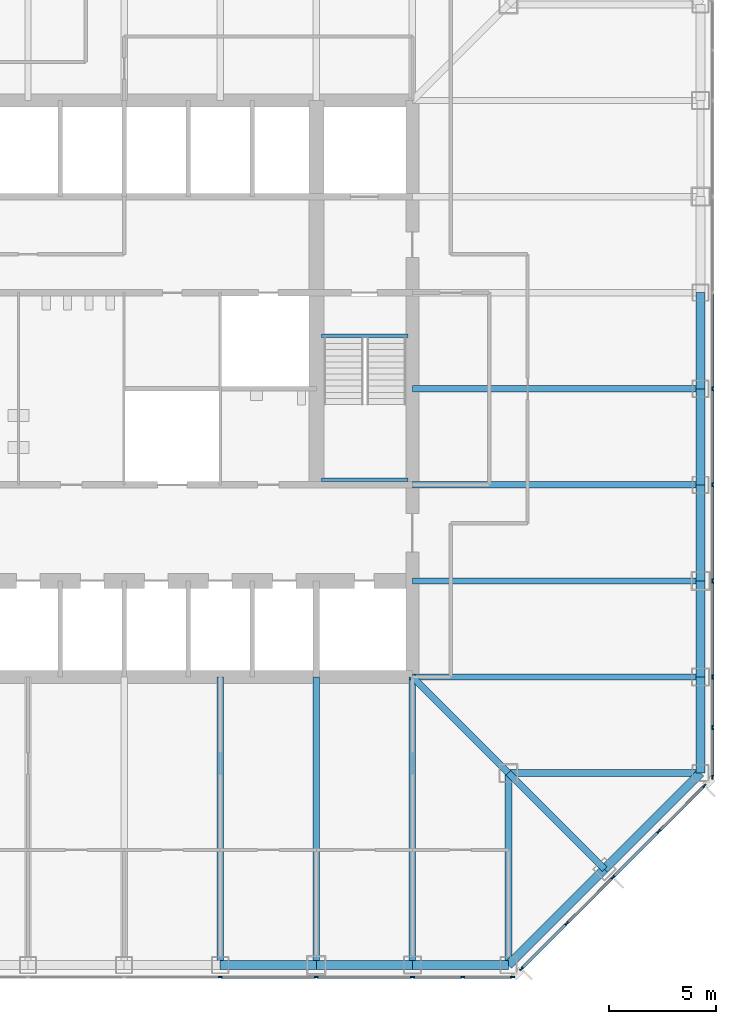
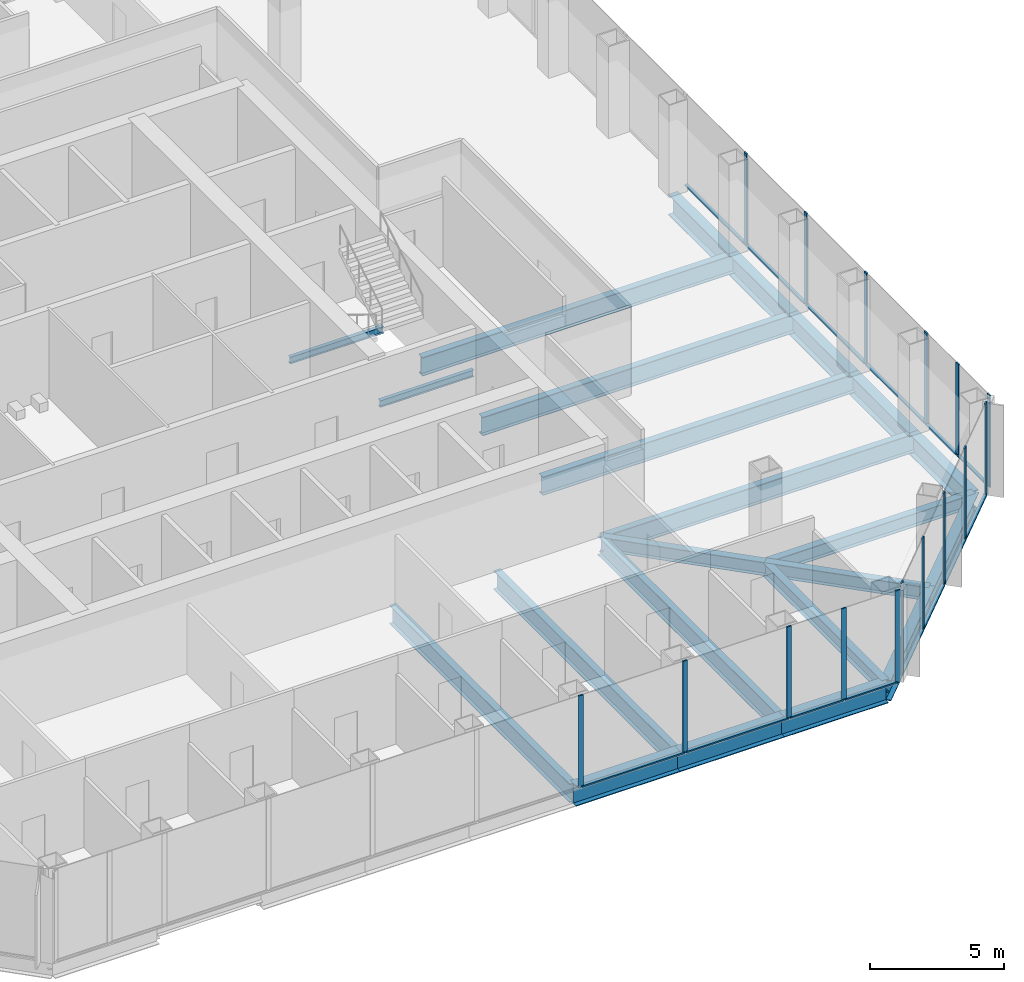
# One storey, part 4 of 13: 30 members, 23 beams, 3 elements without a shape of their own.
"""IFC4 building model written with IfcOpenShell, lengths in metres."""

from ifc_helpers import new_model, si_unit, direction, frame, origin, origin_2d, place, context, subcontext, project, spatial, rectangle, i_section, extrude, material, material_profile, profile_set, type_object, element, aggregate, save


model = new_model("IFC4")

# Units and contexts
model_context = context("Model", 3, precision=1e-05, world=origin(), true_north=direction((0.0, 1.0)))
body_context = subcontext(model_context, "Body", "Model", "MODEL_VIEW")
ifc_project = project(units=[si_unit("LENGTHUNIT", "METRE"), si_unit("AREAUNIT", "SQUARE_METRE"), si_unit("VOLUMEUNIT", "CUBIC_METRE"), si_unit("PLANEANGLEUNIT", "RADIAN"), si_unit("MASSUNIT", "GRAM", prefix="KILO")], contexts=[model_context])

# Site, building, storey
site_placement = place(None, origin())
site = spatial("IfcSite", under=ifc_project, at=site_placement, CompositionType="ELEMENT")
building_placement = place(site_placement, origin())
building = spatial("IfcBuilding", under=site, at=building_placement, Name="Corais Broadcast Tower", CompositionType="ELEMENT")
storey_placement = place(building_placement, frame((0.0, 0.0, 83.60009765625)))
storey = spatial("IfcBuildingStorey", under=building, at=storey_placement, Name="L18", CompositionType="ELEMENT", Elevation=83.60009765625)

# Beams
ifc_material_1 = material(Name="Steel ASTM A572 Grade 50", Category="steel")
ifc_material_profile_1 = material_profile(ifc_material_1, i_section(OverallWidth=0.323974609375, OverallDepth=0.611083984375, WebThickness=0.0126953125, FlangeThickness=0.01904296875, at=origin_2d()), Name="W610x155")
ifc_profile_set_1 = profile_set([ifc_material_profile_1], Name="Steel ASTM A572 Grade 50")
beam_type_1 = type_object("IfcBeamType", Name="Chamfer tie W610x155", PredefinedType="BEAM", material=ifc_profile_set_1)
beam_1_placement = place(storey_placement, frame((49.5, 4.5, -0.465576171875), z_axis=(-0.707106781187, 0.707106781187, 0.0), x_axis=(-0.707106781187, -0.707106781187, 0.0)))
element("IfcBeam", 1, at=beam_1_placement, inside=storey, type_object=beam_type_1, Name="B5 B/14 to C/13", PredefinedType="BEAM", context=body_context, shape_type="SweptSolid", body=[
    extrude(i_section(OverallWidth=0.323974609375, OverallDepth=0.611083984375, WebThickness=0.0126953125, FlangeThickness=0.01904296875, at=origin_2d()), origin(), (0.0, 0.0, 1.0), 6.364013671875),
])
ifc_material_2 = material(Name="Steel ASTM A572 Grade 50", Category="steel")
ifc_material_profile_2 = material_profile(ifc_material_2, i_section(OverallWidth=0.323974609375, OverallDepth=0.611083984375, WebThickness=0.0126953125, FlangeThickness=0.01904296875, at=origin_2d()), Name="W610x155")
ifc_profile_set_2 = profile_set([ifc_material_profile_2], Name="Steel ASTM A572 Grade 50")
beam_type_2 = type_object("IfcBeamType", Name="Corner diagonal W610x155", PredefinedType="BEAM", material=ifc_profile_set_2)
beam_2_placement = place(storey_placement, frame((45.0, 9.0, -0.465576171875), z_axis=(-0.707106781187, 0.707106781187, 0.0), x_axis=(-0.707106781187, -0.707106781187, 0.0)))
element("IfcBeam", 2, at=beam_2_placement, inside=storey, type_object=beam_type_2, Name="B6 C/13 to D/12", PredefinedType="BEAM", context=body_context, shape_type="SweptSolid", body=[
    extrude(i_section(OverallWidth=0.323974609375, OverallDepth=0.611083984375, WebThickness=0.0126953125, FlangeThickness=0.01904296875, at=origin_2d()), origin(), (0.0, 0.0, 1.0), 6.364013671875),
])
ifc_material_3 = material(Name="Steel ASTM A572 Grade 50", Category="steel")
ifc_material_profile_3 = material_profile(ifc_material_3, i_section(OverallWidth=0.323974609375, OverallDepth=0.611083984375, WebThickness=0.0126953125, FlangeThickness=0.01904296875, at=origin_2d()), Name="W610x155")
ifc_profile_set_3 = profile_set([ifc_material_profile_3], Name="Steel ASTM A572 Grade 50")
beam_type_3 = type_object("IfcBeamType", Name="Corner girder W610x155", PredefinedType="BEAM", material=ifc_profile_set_3)
for number, where, z_axis, x_axis, name in (
    (3, (45.0, 0.0, -0.465576171875), (0.0, 1.0, 0.0), (-1.0, 0.0, 0.0), "B4 A/13 to C/13"),
    (4, (54.0, 9.0, -0.465576171875), (-1.0, 0.0, 0.0), (0.0, -1.0, 0.0), "B4 C/15 to C/13"),
):
    element("IfcBeam", number, at=place(storey_placement, frame(where, z_axis=z_axis, x_axis=x_axis)), inside=storey, type_object=beam_type_3, Name=name, PredefinedType="BEAM", context=body_context, shape_type="SweptSolid", body=[
        extrude(i_section(OverallWidth=0.323974609375, OverallDepth=0.611083984375, WebThickness=0.0126953125, FlangeThickness=0.01904296875, at=origin_2d()), origin(), (0.0, 0.0, 1.0), 9.0),
    ])
ifc_material_4 = material(Name="Steel ASTM A572 Grade 50", Category="steel")
ifc_material_profile_4 = material_profile(ifc_material_4, i_section(OverallWidth=0.2939453125, OverallDepth=0.85107421875, WebThickness=0.01611328125, FlangeThickness=0.02685546875, at=origin_2d()), Name="W840x226")
ifc_profile_set_4 = profile_set([ifc_material_profile_4], Name="Steel ASTM A572 Grade 50")
beam_type_4 = type_object("IfcBeamType", Name="Floor beam W840x226", PredefinedType="BEAM", material=ifc_profile_set_4)
for number, where, z_axis, x_axis, name in (
    (5, (31.5, 0.0, -0.585693359375), (0.0, 1.0, 0.0), (-1.0, 0.0, 0.0), "B1 A/10 to D/10"),
    (6, (36.0, 0.0, -0.585693359375), (0.0, 1.0, 0.0), (-1.0, 0.0, 0.0), "B1 A/11 to D/11"),
    (7, (40.5, 0.0, -0.585693359375), (0.0, 1.0, 0.0), (-1.0, 0.0, 0.0), "B1 A/12 to D/12"),
    (8, (54.0, 13.5, -0.585693359375), (-1.0, 0.0, 0.0), (0.0, -1.0, 0.0), "B1 D/15 to D/12"),
    (9, (54.0, 18.0, -0.585693359375), (-1.0, 0.0, 0.0), (0.0, -1.0, 0.0), "B1 E/15 to E/12"),
    (10, (54.0, 22.5, -0.585693359375), (-1.0, 0.0, 0.0), (0.0, -1.0, 0.0), "B1 F/15 to F/12"),
    (11, (54.0, 27.0, -0.585693359375), (-1.0, 0.0, 0.0), (0.0, -1.0, 0.0), "B1 G/15 to G/12"),
):
    element("IfcBeam", number, at=place(storey_placement, frame(where, z_axis=z_axis, x_axis=x_axis)), inside=storey, type_object=beam_type_4, Name=name, PredefinedType="BEAM", context=body_context, shape_type="SweptSolid", body=[
        extrude(i_section(OverallWidth=0.2939453125, OverallDepth=0.85107421875, WebThickness=0.01611328125, FlangeThickness=0.02685546875, at=origin_2d()), origin(), (0.0, 0.0, 1.0), 13.5),
    ])
ifc_material_5 = material(Name="Steel ASTM A572 Grade 50", Category="steel")
ifc_material_profile_5 = material_profile(ifc_material_5, i_section(OverallWidth=0.1650390625, OverallDepth=0.31005859375, WebThickness=0.005859375, FlangeThickness=0.009765625, at=origin_2d()), Name="W310x38.7")
ifc_profile_set_5 = profile_set([ifc_material_profile_5], Name="Steel ASTM A572 Grade 50")
beam_type_5 = type_object("IfcBeamType", Name="Landing trimmer W310x38.7", PredefinedType="BEAM", material=ifc_profile_set_5)
for number, where, z_axis, x_axis, name in (
    (12, (36.25, 29.47509765625, -0.35498046875), (1.0, 0.0, 0.0), (0.0, 1.0, 0.0), "LT1 stair B landing trimmer L18"),
    (13, (36.25, 22.739990234375, 1.744873046875), (1.0, 0.0, 0.0), (0.0, 1.0, 0.0), "LT1 stair B half landing trimmer L18"),
):
    element("IfcBeam", number, at=place(storey_placement, frame(where, z_axis=z_axis, x_axis=x_axis)), inside=storey, type_object=beam_type_5, Name=name, PredefinedType="BEAM", context=body_context, shape_type="SweptSolid", body=[
        extrude(i_section(OverallWidth=0.1650390625, OverallDepth=0.31005859375, WebThickness=0.005859375, FlangeThickness=0.009765625, at=origin_2d()), origin(), (0.0, 0.0, 1.0), 4.050048828125),
    ])

# Curtain wall, members
ifc_material_6 = material(Name="Aluminium and glass", Category="aluminium")
curtain_wall_type = type_object("IfcCurtainWallType", Name="Unitised fritted curtain wall CW1", PredefinedType="NOTDEFINED", material=ifc_material_6)
curtain_wall_1_placement = place(storey_placement, origin())
curtain_wall_1 = element("IfcCurtainWall", 14, at=curtain_wall_1_placement, inside=storey, type_object=curtain_wall_type, Name="CW1 curtain wall L18 6", PredefinedType="NOTDEFINED")
ifc_material_7 = material(Name="Aluminium 6063-T6", Category="aluminium")
ifc_material_profile_6 = material_profile(ifc_material_7, rectangle(XDim=0.06494140625, YDim=0.199951171875, at=origin_2d()), Name="Mullion CW1 65x200")
ifc_profile_set_6 = profile_set([ifc_material_profile_6], Name="Aluminium 6063-T6")
member_type_1 = type_object("IfcMemberType", Name="Mullion CW1 65x200", PredefinedType="MULLION", material=ifc_profile_set_6)
member_1_placement = place(storey_placement, frame((54.550048828125, 27.0, 0.0), z_axis=(0.0, 0.0, 1.0), x_axis=(1.0, 0.0, 0.0)))
member_1 = element("IfcMember", 15, at=member_1_placement, type_object=member_type_1, Name="CW1 mullion 6", PredefinedType="MULLION", context=body_context, shape_type="SweptSolid", body=[
    extrude(rectangle(XDim=0.06494140625, YDim=0.199951171875, at=origin_2d()), origin(), (0.0, 0.0, 1.0), 4.199951171875),
])
member_2_placement = place(storey_placement, frame((54.550048828125, 22.5, 0.0), z_axis=(0.0, 0.0, 1.0), x_axis=(1.0, 0.0, 0.0)))
member_2 = element("IfcMember", 16, at=member_2_placement, type_object=member_type_1, Name="CW1 mullion 7", PredefinedType="MULLION", context=body_context, shape_type="SweptSolid", body=[
    extrude(rectangle(XDim=0.06494140625, YDim=0.199951171875, at=origin_2d()), origin(), (0.0, 0.0, 1.0), 4.199951171875),
])
member_3_placement = place(storey_placement, frame((54.550048828125, 18.0, 0.0), z_axis=(0.0, 0.0, 1.0), x_axis=(1.0, 0.0, 0.0)))
member_3 = element("IfcMember", 17, at=member_3_placement, type_object=member_type_1, Name="CW1 mullion 8", PredefinedType="MULLION", context=body_context, shape_type="SweptSolid", body=[
    extrude(rectangle(XDim=0.06494140625, YDim=0.199951171875, at=origin_2d()), origin(), (0.0, 0.0, 1.0), 4.199951171875),
])
member_4_placement = place(storey_placement, frame((54.550048828125, 13.5, 0.0), z_axis=(0.0, 0.0, 1.0), x_axis=(1.0, 0.0, 0.0)))
member_4 = element("IfcMember", 18, at=member_4_placement, type_object=member_type_1, Name="CW1 mullion 9", PredefinedType="MULLION", context=body_context, shape_type="SweptSolid", body=[
    extrude(rectangle(XDim=0.06494140625, YDim=0.199951171875, at=origin_2d()), origin(), (0.0, 0.0, 1.0), 4.199951171875),
])
member_5_placement = place(storey_placement, frame((54.550048828125, 11.135986328125, 0.0), z_axis=(0.0, 0.0, 1.0), x_axis=(1.0, 0.0, 0.0)))
member_5 = element("IfcMember", 19, at=member_5_placement, type_object=member_type_1, Name="CW1 mullion 10", PredefinedType="MULLION", context=body_context, shape_type="SweptSolid", body=[
    extrude(rectangle(XDim=0.06494140625, YDim=0.199951171875, at=origin_2d()), origin(), (0.0, 0.0, 1.0), 4.199951171875),
])
member_6_placement = place(storey_placement, frame((54.550048828125, 8.8046875, 0.0), z_axis=(0.0, 0.0, 1.0), x_axis=(1.0, 0.0, 0.0)))
member_6 = element("IfcMember", 20, at=member_6_placement, type_object=member_type_1, Name="CW1 mullion 11", PredefinedType="MULLION", context=body_context, shape_type="SweptSolid", body=[
    extrude(rectangle(XDim=0.06494140625, YDim=0.199951171875, at=origin_2d()), origin(), (0.0, 0.0, 1.0), 4.199951171875),
])

curtain_wall_2_placement = place(storey_placement, origin())
curtain_wall_2 = element("IfcCurtainWall", 21, at=curtain_wall_2_placement, inside=storey, type_object=curtain_wall_type, Name="CW1 curtain wall L18 7", PredefinedType="NOTDEFINED")
member_7_placement = place(storey_placement, frame((54.17333984375, 8.3955078125, 0.0), z_axis=(0.0, 0.0, 1.0), x_axis=(0.707106781187, -0.707106781187, 0.0)))
member_7 = element("IfcMember", 22, at=member_7_placement, type_object=member_type_1, Name="CW1 mullion 1", PredefinedType="MULLION", context=body_context, shape_type="SweptSolid", body=[
    extrude(rectangle(XDim=0.06494140625, YDim=0.199951171875, at=origin_2d()), origin(), (0.0, 0.0, 1.0), 4.199951171875),
])
member_8_placement = place(storey_placement, frame((52.042724609375, 6.264892578125, 0.0), z_axis=(0.0, 0.0, 1.0), x_axis=(0.707106781187, -0.707106781187, 0.0)))
member_8 = element("IfcMember", 23, at=member_8_placement, type_object=member_type_1, Name="CW1 mullion 2", PredefinedType="MULLION", context=body_context, shape_type="SweptSolid", body=[
    extrude(rectangle(XDim=0.06494140625, YDim=0.199951171875, at=origin_2d()), origin(), (0.0, 0.0, 1.0), 4.199951171875),
])
member_9_placement = place(storey_placement, frame((49.888916015625, 4.111083984375, 0.0), z_axis=(0.0, 0.0, 1.0), x_axis=(0.707106781187, -0.707106781187, 0.0)))
member_9 = element("IfcMember", 24, at=member_9_placement, type_object=member_type_1, Name="CW1 mullion 3", PredefinedType="MULLION", context=body_context, shape_type="SweptSolid", body=[
    extrude(rectangle(XDim=0.06494140625, YDim=0.199951171875, at=origin_2d()), origin(), (0.0, 0.0, 1.0), 4.199951171875),
])
member_10_placement = place(storey_placement, frame((47.735107421875, 1.957275390625, 0.0), z_axis=(0.0, 0.0, 1.0), x_axis=(0.707106781187, -0.707106781187, 0.0)))
member_10 = element("IfcMember", 25, at=member_10_placement, type_object=member_type_1, Name="CW1 mullion 4", PredefinedType="MULLION", context=body_context, shape_type="SweptSolid", body=[
    extrude(rectangle(XDim=0.06494140625, YDim=0.199951171875, at=origin_2d()), origin(), (0.0, 0.0, 1.0), 4.199951171875),
])
member_11_placement = place(storey_placement, frame((45.6044921875, -0.17333984375, 0.0), z_axis=(0.0, 0.0, 1.0), x_axis=(0.707106781187, -0.707106781187, 0.0)))
member_11 = element("IfcMember", 26, at=member_11_placement, type_object=member_type_1, Name="CW1 mullion 5", PredefinedType="MULLION", context=body_context, shape_type="SweptSolid", body=[
    extrude(rectangle(XDim=0.06494140625, YDim=0.199951171875, at=origin_2d()), origin(), (0.0, 0.0, 1.0), 4.199951171875),
])

curtain_wall_3_placement = place(storey_placement, origin())
curtain_wall_3 = element("IfcCurtainWall", 27, at=curtain_wall_3_placement, inside=storey, type_object=curtain_wall_type, Name="CW1 curtain wall L18 8", PredefinedType="NOTDEFINED")
member_12_placement = place(storey_placement, frame((45.1953125, -0.550048828125, 0.0), z_axis=(0.0, 0.0, 1.0), x_axis=(0.0, -1.0, 0.0)))
member_12 = element("IfcMember", 28, at=member_12_placement, type_object=member_type_1, Name="CW1 mullion 1", PredefinedType="MULLION", context=body_context, shape_type="SweptSolid", body=[
    extrude(rectangle(XDim=0.06494140625, YDim=0.199951171875, at=origin_2d()), origin(), (0.0, 0.0, 1.0), 4.199951171875),
])
member_13_placement = place(storey_placement, frame((42.864013671875, -0.550048828125, 0.0), z_axis=(0.0, 0.0, 1.0), x_axis=(0.0, -1.0, 0.0)))
member_13 = element("IfcMember", 29, at=member_13_placement, type_object=member_type_1, Name="CW1 mullion 2", PredefinedType="MULLION", context=body_context, shape_type="SweptSolid", body=[
    extrude(rectangle(XDim=0.06494140625, YDim=0.199951171875, at=origin_2d()), origin(), (0.0, 0.0, 1.0), 4.199951171875),
])
member_14_placement = place(storey_placement, frame((40.5, -0.550048828125, 0.0), z_axis=(0.0, 0.0, 1.0), x_axis=(0.0, -1.0, 0.0)))
member_14 = element("IfcMember", 30, at=member_14_placement, type_object=member_type_1, Name="CW1 mullion 3", PredefinedType="MULLION", context=body_context, shape_type="SweptSolid", body=[
    extrude(rectangle(XDim=0.06494140625, YDim=0.199951171875, at=origin_2d()), origin(), (0.0, 0.0, 1.0), 4.199951171875),
])
member_15_placement = place(storey_placement, frame((36.0, -0.550048828125, 0.0), z_axis=(0.0, 0.0, 1.0), x_axis=(0.0, -1.0, 0.0)))
member_15 = element("IfcMember", 31, at=member_15_placement, type_object=member_type_1, Name="CW1 mullion 4", PredefinedType="MULLION", context=body_context, shape_type="SweptSolid", body=[
    extrude(rectangle(XDim=0.06494140625, YDim=0.199951171875, at=origin_2d()), origin(), (0.0, 0.0, 1.0), 4.199951171875),
])
member_16_placement = place(storey_placement, frame((31.5, -0.550048828125, 0.0), z_axis=(0.0, 0.0, 1.0), x_axis=(0.0, -1.0, 0.0)))
member_16 = element("IfcMember", 32, at=member_16_placement, type_object=member_type_1, Name="CW1 mullion 5", PredefinedType="MULLION", context=body_context, shape_type="SweptSolid", body=[
    extrude(rectangle(XDim=0.06494140625, YDim=0.199951171875, at=origin_2d()), origin(), (0.0, 0.0, 1.0), 4.199951171875),
])

# Beams
ifc_material_8 = material(Name="Steel ASTM A572 Grade 50", Category="steel")
ifc_material_profile_7 = material_profile(ifc_material_8, i_section(OverallWidth=0.4189453125, OverallDepth=0.94189453125, WebThickness=0.022216796875, FlangeThickness=0.03662109375, at=origin_2d()), Name="W920x345")
ifc_profile_set_7 = profile_set([ifc_material_profile_7], Name="Steel ASTM A572 Grade 50")
beam_type_6 = type_object("IfcBeamType", Name="Transfer spandrel W920x345", PredefinedType="BEAM", material=ifc_profile_set_7)
for number, where, z_axis, x_axis, name in (
    (33, (31.5, 0.0, -0.631103515625), (1.0, 0.0, 0.0), (0.0, 1.0, 0.0), "SB4 A/10 to A/11"),
    (34, (36.0, 0.0, -0.631103515625), (1.0, 0.0, 0.0), (0.0, 1.0, 0.0), "SB4 A/11 to A/12"),
    (35, (40.5, 0.0, -0.631103515625), (1.0, 0.0, 0.0), (0.0, 1.0, 0.0), "SB4 A/12 to A/13"),
):
    element("IfcBeam", number, at=place(storey_placement, frame(where, z_axis=z_axis, x_axis=x_axis)), inside=storey, type_object=beam_type_6, Name=name, PredefinedType="BEAM", context=body_context, shape_type="SweptSolid", body=[
        extrude(i_section(OverallWidth=0.4189453125, OverallDepth=0.94189453125, WebThickness=0.022216796875, FlangeThickness=0.03662109375, at=origin_2d()), origin(), (0.0, 0.0, 1.0), 4.5),
    ])
for number, where, z_axis, x_axis, name in (
    (36, (45.0, 0.0, -0.631103515625), (0.707106781187, 0.707106781187, 0.0), (-0.707106781187, 0.707106781187, 0.0), "SB4 A/13 to B/14"),
    (37, (49.5, 4.5, -0.631103515625), (0.707106781187, 0.707106781187, 0.0), (-0.707106781187, 0.707106781187, 0.0), "SB4 B/14 to C/15"),
):
    element("IfcBeam", number, at=place(storey_placement, frame(where, z_axis=z_axis, x_axis=x_axis)), inside=storey, type_object=beam_type_6, Name=name, PredefinedType="BEAM", context=body_context, shape_type="SweptSolid", body=[
        extrude(i_section(OverallWidth=0.4189453125, OverallDepth=0.94189453125, WebThickness=0.022216796875, FlangeThickness=0.03662109375, at=origin_2d()), origin(), (0.0, 0.0, 1.0), 6.364013671875),
    ])
for number, where, z_axis, x_axis, name in (
    (38, (54.0, 13.5, -0.631103515625), (0.0, 1.0, 0.0), (-1.0, 0.0, 0.0), "SB4 D/15 to E/15"),
    (39, (54.0, 18.0, -0.631103515625), (0.0, 1.0, 0.0), (-1.0, 0.0, 0.0), "SB4 E/15 to F/15"),
    (40, (54.0, 22.5, -0.631103515625), (0.0, 1.0, 0.0), (-1.0, 0.0, 0.0), "SB4 F/15 to G/15"),
    (41, (54.0, 27.0, -0.631103515625), (0.0, 1.0, 0.0), (-1.0, 0.0, 0.0), "SB4 G/15 to H/15"),
    (42, (54.0, 9.0, -0.631103515625), (0.0, 1.0, 0.0), (-1.0, 0.0, 0.0), "SB4 C/15 to D/15"),
):
    element("IfcBeam", number, at=place(storey_placement, frame(where, z_axis=z_axis, x_axis=x_axis)), inside=storey, type_object=beam_type_6, Name=name, PredefinedType="BEAM", context=body_context, shape_type="SweptSolid", body=[
        extrude(i_section(OverallWidth=0.4189453125, OverallDepth=0.94189453125, WebThickness=0.022216796875, FlangeThickness=0.03662109375, at=origin_2d()), origin(), (0.0, 0.0, 1.0), 4.5),
    ])

# Member
ifc_material_9 = material(Name="Aluminium 6063-T6", Category="aluminium")
ifc_material_profile_8 = material_profile(ifc_material_9, rectangle(XDim=0.139892578125, YDim=0.06494140625, at=origin_2d()), Name="Transom CW1 65x140")
ifc_profile_set_8 = profile_set([ifc_material_profile_8], Name="Aluminium 6063-T6")
member_type_2 = type_object("IfcMemberType", Name="Transom CW1 65x140", PredefinedType="USERDEFINED", material=ifc_profile_set_8)
member_17_placement = place(storey_placement, frame((54.550048828125, 31.467529296875, 0.032470703125), z_axis=(0.0, -1.0, 0.0), x_axis=(1.0, 0.0, 0.0)))
member_17 = element("IfcMember", 43, at=member_17_placement, type_object=member_type_2, Name="CW1 transom 5.1", ObjectType="TRANSOM", PredefinedType="USERDEFINED", context=body_context, shape_type="SweptSolid", body=[
    extrude(rectangle(XDim=0.139892578125, YDim=0.06494140625, at=origin_2d()), origin(), (0.0, 0.0, 1.0), 4.43505859375),
])

member_18_placement = place(storey_placement, frame((54.550048828125, 26.967529296875, 0.032470703125), z_axis=(0.0, -1.0, 0.0), x_axis=(1.0, 0.0, 0.0)))
member_18 = element("IfcMember", 44, at=member_18_placement, type_object=member_type_2, Name="CW1 transom 6.1", ObjectType="TRANSOM", PredefinedType="USERDEFINED", context=body_context, shape_type="SweptSolid", body=[
    extrude(rectangle(XDim=0.139892578125, YDim=0.06494140625, at=origin_2d()), origin(), (0.0, 0.0, 1.0), 4.43505859375),
])

member_19_placement = place(storey_placement, frame((54.550048828125, 22.467529296875, 0.032470703125), z_axis=(0.0, -1.0, 0.0), x_axis=(1.0, 0.0, 0.0)))
member_19 = element("IfcMember", 45, at=member_19_placement, type_object=member_type_2, Name="CW1 transom 7.1", ObjectType="TRANSOM", PredefinedType="USERDEFINED", context=body_context, shape_type="SweptSolid", body=[
    extrude(rectangle(XDim=0.139892578125, YDim=0.06494140625, at=origin_2d()), origin(), (0.0, 0.0, 1.0), 4.43505859375),
])

member_20_placement = place(storey_placement, frame((54.550048828125, 17.967529296875, 0.032470703125), z_axis=(0.0, -1.0, 0.0), x_axis=(1.0, 0.0, 0.0)))
member_20 = element("IfcMember", 46, at=member_20_placement, type_object=member_type_2, Name="CW1 transom 8.1", ObjectType="TRANSOM", PredefinedType="USERDEFINED", context=body_context, shape_type="SweptSolid", body=[
    extrude(rectangle(XDim=0.139892578125, YDim=0.06494140625, at=origin_2d()), origin(), (0.0, 0.0, 1.0), 4.43505859375),
])

member_21_placement = place(storey_placement, frame((54.550048828125, 13.467529296875, 0.032470703125), z_axis=(0.0, -1.0, 0.0), x_axis=(1.0, 0.0, 0.0)))
member_21 = element("IfcMember", 47, at=member_21_placement, type_object=member_type_2, Name="CW1 transom 9.1", ObjectType="TRANSOM", PredefinedType="USERDEFINED", context=body_context, shape_type="SweptSolid", body=[
    extrude(rectangle(XDim=0.139892578125, YDim=0.06494140625, at=origin_2d()), origin(), (0.0, 0.0, 1.0), 2.298828125),
])

member_22_placement = place(storey_placement, frame((54.550048828125, 11.103515625, 0.032470703125), z_axis=(0.0, -1.0, 0.0), x_axis=(1.0, 0.0, 0.0)))
member_22 = element("IfcMember", 48, at=member_22_placement, type_object=member_type_2, Name="CW1 transom 10.1", ObjectType="TRANSOM", PredefinedType="USERDEFINED", context=body_context, shape_type="SweptSolid", body=[
    extrude(rectangle(XDim=0.139892578125, YDim=0.06494140625, at=origin_2d()), origin(), (0.0, 0.0, 1.0), 2.266357421875),
])

aggregate(curtain_wall_1, [member_1, member_2, member_3, member_4, member_5, member_6, member_17, member_18, member_19, member_20, member_21, member_22])

member_23_placement = place(storey_placement, frame((54.150390625, 8.37255859375, 0.032470703125), z_axis=(-0.707106781187, -0.707106781187, 0.0), x_axis=(0.707106781187, -0.707106781187, 0.0)))
member_23 = element("IfcMember", 49, at=member_23_placement, type_object=member_type_2, Name="CW1 transom 1.1", ObjectType="TRANSOM", PredefinedType="USERDEFINED", context=body_context, shape_type="SweptSolid", body=[
    extrude(rectangle(XDim=0.139892578125, YDim=0.06494140625, at=origin_2d()), origin(), (0.0, 0.0, 1.0), 2.9482421875),
])

member_24_placement = place(storey_placement, frame((52.019775390625, 6.241943359375, 0.032470703125), z_axis=(-0.707106781187, -0.707106781187, 0.0), x_axis=(0.707106781187, -0.707106781187, 0.0)))
member_24 = element("IfcMember", 50, at=member_24_placement, type_object=member_type_2, Name="CW1 transom 2.1", ObjectType="TRANSOM", PredefinedType="USERDEFINED", context=body_context, shape_type="SweptSolid", body=[
    extrude(rectangle(XDim=0.139892578125, YDim=0.06494140625, at=origin_2d()), origin(), (0.0, 0.0, 1.0), 2.98095703125),
])

member_25_placement = place(storey_placement, frame((49.865966796875, 4.088134765625, 0.032470703125), z_axis=(-0.707106781187, -0.707106781187, 0.0), x_axis=(0.707106781187, -0.707106781187, 0.0)))
member_25 = element("IfcMember", 51, at=member_25_placement, type_object=member_type_2, Name="CW1 transom 3.1", ObjectType="TRANSOM", PredefinedType="USERDEFINED", context=body_context, shape_type="SweptSolid", body=[
    extrude(rectangle(XDim=0.139892578125, YDim=0.06494140625, at=origin_2d()), origin(), (0.0, 0.0, 1.0), 2.98095703125),
])

member_26_placement = place(storey_placement, frame((47.712158203125, 1.934326171875, 0.032470703125), z_axis=(-0.707106781187, -0.707106781187, 0.0), x_axis=(0.707106781187, -0.707106781187, 0.0)))
member_26 = element("IfcMember", 52, at=member_26_placement, type_object=member_type_2, Name="CW1 transom 4.1", ObjectType="TRANSOM", PredefinedType="USERDEFINED", context=body_context, shape_type="SweptSolid", body=[
    extrude(rectangle(XDim=0.139892578125, YDim=0.06494140625, at=origin_2d()), origin(), (0.0, 0.0, 1.0), 2.9482421875),
])

aggregate(curtain_wall_2, [member_7, member_8, member_9, member_10, member_11, member_23, member_24, member_25, member_26])

member_27_placement = place(storey_placement, frame((45.162841796875, -0.550048828125, 0.032470703125), z_axis=(-1.0, 0.0, 0.0), x_axis=(0.0, -1.0, 0.0)))
member_27 = element("IfcMember", 53, at=member_27_placement, type_object=member_type_2, Name="CW1 transom 1.1", ObjectType="TRANSOM", PredefinedType="USERDEFINED", context=body_context, shape_type="SweptSolid", body=[
    extrude(rectangle(XDim=0.139892578125, YDim=0.06494140625, at=origin_2d()), origin(), (0.0, 0.0, 1.0), 2.266357421875),
])

member_28_placement = place(storey_placement, frame((42.831298828125, -0.550048828125, 0.032470703125), z_axis=(-1.0, 0.0, 0.0), x_axis=(0.0, -1.0, 0.0)))
member_28 = element("IfcMember", 54, at=member_28_placement, type_object=member_type_2, Name="CW1 transom 2.1", ObjectType="TRANSOM", PredefinedType="USERDEFINED", context=body_context, shape_type="SweptSolid", body=[
    extrude(rectangle(XDim=0.139892578125, YDim=0.06494140625, at=origin_2d()), origin(), (0.0, 0.0, 1.0), 2.298828125),
])

member_29_placement = place(storey_placement, frame((40.467529296875, -0.550048828125, 0.032470703125), z_axis=(-1.0, 0.0, 0.0), x_axis=(0.0, -1.0, 0.0)))
member_29 = element("IfcMember", 55, at=member_29_placement, type_object=member_type_2, Name="CW1 transom 3.1", ObjectType="TRANSOM", PredefinedType="USERDEFINED", context=body_context, shape_type="SweptSolid", body=[
    extrude(rectangle(XDim=0.139892578125, YDim=0.06494140625, at=origin_2d()), origin(), (0.0, 0.0, 1.0), 4.43505859375),
])

member_30_placement = place(storey_placement, frame((35.967529296875, -0.550048828125, 0.032470703125), z_axis=(-1.0, 0.0, 0.0), x_axis=(0.0, -1.0, 0.0)))
member_30 = element("IfcMember", 56, at=member_30_placement, type_object=member_type_2, Name="CW1 transom 4.1", ObjectType="TRANSOM", PredefinedType="USERDEFINED", context=body_context, shape_type="SweptSolid", body=[
    extrude(rectangle(XDim=0.139892578125, YDim=0.06494140625, at=origin_2d()), origin(), (0.0, 0.0, 1.0), 4.43505859375),
])

aggregate(curtain_wall_3, [member_12, member_13, member_14, member_15, member_16, member_27, member_28, member_29, member_30])

save(model, "model.ifc")
